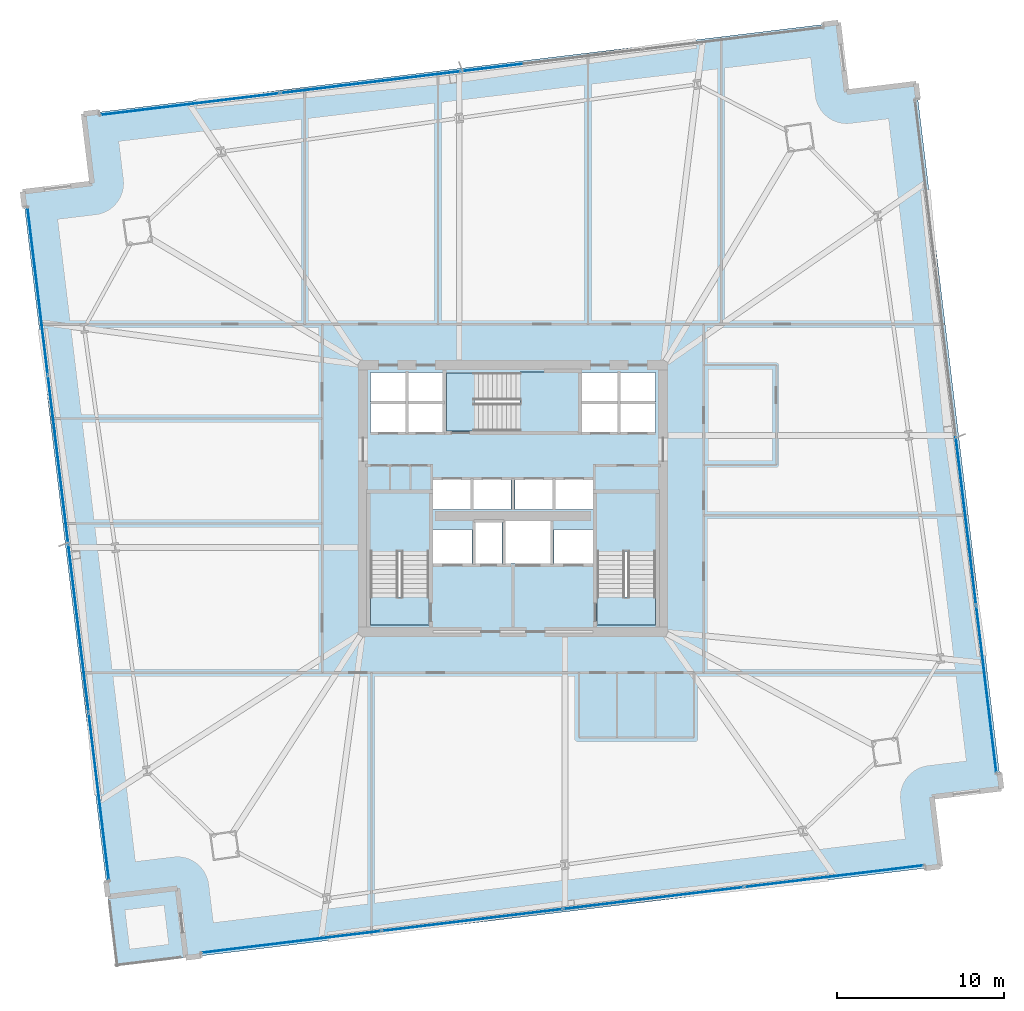
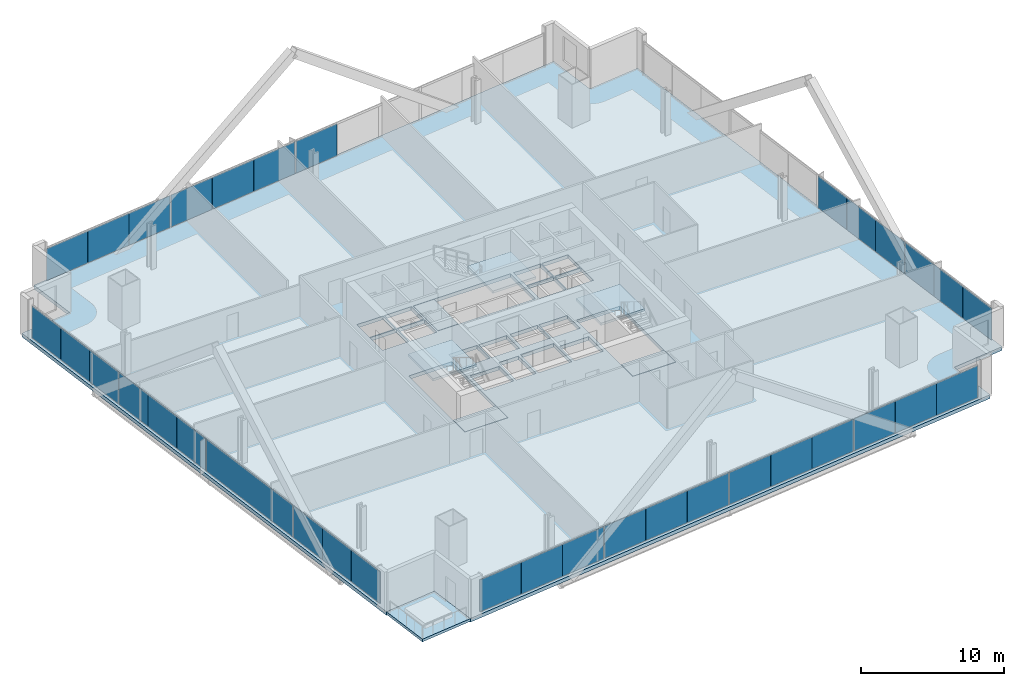
# One storey, part 24 of 33: 35 plates, 8 slabs, 7 elements without a shape of their own.
"""IFC4 building model written with IfcOpenShell, lengths in metres."""

from ifc_helpers import new_model, si_unit, direction, frame, origin, origin_2d, place, context, subcontext, project, spatial, polyline, rectangle, outline, extrude, source, transform, mapped, material, layer, layer_set, type_object, element, aggregate, save


model = new_model("IFC4")

# Units and contexts
model_context = context("Model", 3, precision=1e-05, world=origin(), true_north=direction((0.0, 1.0)))
body_context = subcontext(model_context, "Body", "Model", "MODEL_VIEW")
ifc_project = project(units=[si_unit("LENGTHUNIT", "METRE"), si_unit("AREAUNIT", "SQUARE_METRE"), si_unit("VOLUMEUNIT", "CUBIC_METRE"), si_unit("PLANEANGLEUNIT", "RADIAN"), si_unit("MASSUNIT", "GRAM", prefix="KILO")], contexts=[model_context])

# Site, building, storey
site_placement = place(None, origin())
site = spatial("IfcSite", under=ifc_project, at=site_placement, CompositionType="ELEMENT")
building_placement = place(site_placement, origin())
building = spatial("IfcBuilding", under=site, at=building_placement, Name="Haldenkirk Collegiate Tower", CompositionType="ELEMENT")
storey_placement = place(building_placement, frame((0.0, 0.0, 51.449951171875)))
storey = spatial("IfcBuildingStorey", under=building, at=storey_placement, Name="L11", CompositionType="ELEMENT", Elevation=51.449951171875)

# Slab
ifc_material_1 = material(Name="Concrete f'c 40 MPa", Category="concrete")
ifc_layer_1 = layer(ifc_material_1, 0.31005859375)
ifc_layer_set_1 = layer_set([ifc_layer_1], Name="Concrete f'c 40 MPa")
slab_type_1 = type_object("IfcSlabType", Name="SLB-FLR-310", PredefinedType="FLOOR", material=ifc_layer_set_1)
slab_1_placement = place(storey_placement, frame((0.0, 0.0, -0.31005859375)))
element("IfcSlab", 1, at=slab_1_placement, inside=storey, type_object=slab_type_1, Name="L11 composite structural floor slab", PredefinedType="FLOOR", context=body_context, shape_type="SweptSolid", body=[
    extrude(outline(polyline([(16.36865234375, -1.55810546875), (61.63818359375, 3.920166015625), (61.1337890625, 8.08984375), (65.30322265625, 8.59423828125), (60.185546875, 50.8857421875), (56.015869140625, 50.381103515625), (55.51123046875, 54.55078125), (10.24169921875, 49.072509765625), (10.74609375, 44.903076171875), (6.57666015625, 44.3984375), (11.6943359375, 2.10693359375), (15.864013671875, 2.611572265625), (16.36865234375, -1.55810546875)]), holes=[polyline([(27.449951171875, 18.39990234375), (30.949951171875, 18.39990234375), (30.949951171875, 26.300048828125), (27.449951171875, 26.300048828125), (27.449951171875, 18.39990234375)]), polyline([(41.050048828125, 18.39990234375), (44.550048828125, 18.39990234375), (44.550048828125, 26.300048828125), (41.050048828125, 26.300048828125), (41.050048828125, 18.39990234375)]), polyline([(32.0, 30.050048828125), (39.89990234375, 30.050048828125), (39.89990234375, 33.550048828125), (32.0, 33.550048828125), (32.0, 30.050048828125)]), polyline([(33.75, 22.10009765625), (35.35009765625, 22.10009765625), (35.35009765625, 24.550048828125), (33.75, 24.550048828125), (33.75, 22.10009765625)]), polyline([(27.449951171875, 29.949951171875), (29.580078125, 29.949951171875), (29.580078125, 31.699951171875), (27.449951171875, 31.699951171875), (27.449951171875, 29.949951171875)]), polyline([(29.679931640625, 29.949951171875), (31.85009765625, 29.949951171875), (31.85009765625, 31.699951171875), (29.679931640625, 31.699951171875), (29.679931640625, 29.949951171875)]), polyline([(27.449951171875, 31.800048828125), (29.580078125, 31.800048828125), (29.580078125, 33.550048828125), (27.449951171875, 33.550048828125), (27.449951171875, 31.800048828125)]), polyline([(29.679931640625, 31.800048828125), (31.85009765625, 31.800048828125), (31.85009765625, 33.550048828125), (29.679931640625, 33.550048828125), (29.679931640625, 31.800048828125)]), polyline([(40.14990234375, 29.949951171875), (42.320068359375, 29.949951171875), (42.320068359375, 31.699951171875), (40.14990234375, 31.699951171875), (40.14990234375, 29.949951171875)]), polyline([(42.419921875, 29.949951171875), (44.550048828125, 29.949951171875), (44.550048828125, 31.699951171875), (42.419921875, 31.699951171875), (42.419921875, 29.949951171875)]), polyline([(40.14990234375, 31.800048828125), (42.320068359375, 31.800048828125), (42.320068359375, 33.550048828125), (40.14990234375, 33.550048828125), (40.14990234375, 31.800048828125)]), polyline([(42.419921875, 31.800048828125), (44.550048828125, 31.800048828125), (44.550048828125, 33.550048828125), (42.419921875, 33.550048828125), (42.419921875, 31.800048828125)]), polyline([(31.199951171875, 25.35009765625), (33.47998046875, 25.35009765625), (33.47998046875, 27.14990234375), (31.199951171875, 27.14990234375), (31.199951171875, 25.35009765625)]), polyline([(33.60009765625, 25.35009765625), (35.8798828125, 25.35009765625), (35.8798828125, 27.14990234375), (33.60009765625, 27.14990234375), (33.60009765625, 25.35009765625)]), polyline([(36.1201171875, 25.35009765625), (38.39990234375, 25.35009765625), (38.39990234375, 27.14990234375), (36.1201171875, 27.14990234375), (36.1201171875, 25.35009765625)]), polyline([(38.52001953125, 25.35009765625), (40.800048828125, 25.35009765625), (40.800048828125, 27.14990234375), (38.52001953125, 27.14990234375), (38.52001953125, 25.35009765625)]), polyline([(31.199951171875, 22.10009765625), (33.550048828125, 22.10009765625), (33.550048828125, 24.14990234375), (31.199951171875, 24.14990234375), (31.199951171875, 22.10009765625)]), polyline([(38.449951171875, 22.10009765625), (40.800048828125, 22.10009765625), (40.800048828125, 24.14990234375), (38.449951171875, 24.14990234375), (38.449951171875, 22.10009765625)]), polyline([(35.550048828125, 22.10009765625), (38.25, 22.10009765625), (38.25, 24.64990234375), (35.550048828125, 24.64990234375), (35.550048828125, 22.10009765625)])]), origin(), (0.0, 0.0, 1.0), 0.31005859375),
])

# Stair, slab
stair_type = type_object("IfcStairType", Name="STR-DOGLEG-1650", PredefinedType="HALF_TURN_STAIR", material=ifc_material_1)
stair_1_placement = place(storey_placement, origin())
stair_1 = element("IfcStair", 2, at=stair_1_placement, inside=storey, type_object=stair_type, Name="L11 Core Exit Stair ST-1", PredefinedType="HALF_TURN_STAIR")
ifc_layer_2 = layer(ifc_material_1, 0.199951171875)
ifc_layer_set_2 = layer_set([ifc_layer_2], Name="Concrete f'c 40 MPa")
slab_type_2 = type_object("IfcSlabType", Name="SLB-LANDING-200", PredefinedType="LANDING", material=ifc_layer_set_2)
slab_2_placement = place(storey_placement, frame((0.0, 0.0, 1.675048828125)))
slab_2 = element("IfcSlab", 3, at=slab_2_placement, type_object=slab_type_2, Name="ST-1 landing 1", PredefinedType="LANDING", context=body_context, shape_type="SweptSolid", body=[
    extrude(outline(polyline([(30.97509765625, 22.824951171875), (27.425048828125, 22.824951171875), (27.425048828125, 26.324951171875), (30.97509765625, 26.324951171875), (30.97509765625, 22.824951171875)])), origin(), (0.0, 0.0, 1.0), 0.199951171875),
])
aggregate(stair_1, [slab_2])

stair_2_placement = place(storey_placement, origin())
stair_2 = element("IfcStair", 4, at=stair_2_placement, inside=storey, type_object=stair_type, Name="L11 Core Exit Stair ST-2", PredefinedType="HALF_TURN_STAIR")
slab_3_placement = place(storey_placement, frame((0.0, 0.0, 1.675048828125)))
slab_3 = element("IfcSlab", 5, at=slab_3_placement, type_object=slab_type_2, Name="ST-2 landing 1", PredefinedType="LANDING", context=body_context, shape_type="SweptSolid", body=[
    extrude(outline(polyline([(44.574951171875, 22.824951171875), (41.02490234375, 22.824951171875), (41.02490234375, 26.324951171875), (44.574951171875, 26.324951171875), (44.574951171875, 22.824951171875)])), origin(), (0.0, 0.0, 1.0), 0.199951171875),
])
aggregate(stair_2, [slab_3])

stair_3_placement = place(storey_placement, origin())
stair_3 = element("IfcStair", 6, at=stair_3_placement, inside=storey, type_object=stair_type, Name="L11 Core Exit Stair ST-3", PredefinedType="HALF_TURN_STAIR")
slab_4_placement = place(storey_placement, frame((0.0, 0.0, 1.675048828125)))
slab_4 = element("IfcSlab", 7, at=slab_4_placement, type_object=slab_type_2, Name="ST-3 landing 1", PredefinedType="LANDING", context=body_context, shape_type="SweptSolid", body=[
    extrude(outline(polyline([(36.425048828125, 30.02490234375), (36.425048828125, 33.574951171875), (39.925048828125, 33.574951171875), (39.925048828125, 30.02490234375), (36.425048828125, 30.02490234375)])), origin(), (0.0, 0.0, 1.0), 0.199951171875),
])
aggregate(stair_3, [slab_4])

# Slabs
ifc_layer_3 = layer(ifc_material_1, 0.25)
ifc_layer_set_3 = layer_set([ifc_layer_3], Name="Concrete f'c 40 MPa")
slab_type_3 = type_object("IfcSlabType", Name="SLB-STAIRLAND-250", PredefinedType="LANDING", material=ifc_layer_set_3)
slab_5_placement = place(storey_placement, frame((0.0, 0.0, -0.25)))
element("IfcSlab", 8, at=slab_5_placement, inside=storey, type_object=slab_type_3, Name="L11 stair ST1 structural floor landing slab", PredefinedType="LANDING", context=body_context, shape_type="SweptSolid", body=[
    extrude(outline(polyline([(27.4599609375, 18.409912109375), (30.93994140625, 18.409912109375), (30.93994140625, 20.080078125), (27.4599609375, 20.080078125), (27.4599609375, 18.409912109375)])), origin(), (0.0, 0.0, 1.0), 0.25),
])
slab_6_placement = place(storey_placement, frame((0.0, 0.0, -0.25)))
element("IfcSlab", 9, at=slab_6_placement, inside=storey, type_object=slab_type_3, Name="L11 stair ST2 structural floor landing slab", PredefinedType="LANDING", context=body_context, shape_type="SweptSolid", body=[
    extrude(outline(polyline([(41.06005859375, 18.409912109375), (44.5400390625, 18.409912109375), (44.5400390625, 20.080078125), (41.06005859375, 20.080078125), (41.06005859375, 18.409912109375)])), origin(), (0.0, 0.0, 1.0), 0.25),
])
slab_7_placement = place(storey_placement, frame((0.0, 0.0, -0.25)))
element("IfcSlab", 10, at=slab_7_placement, inside=storey, type_object=slab_type_3, Name="L11 stair ST3 structural floor landing slab", PredefinedType="LANDING", context=body_context, shape_type="SweptSolid", body=[
    extrude(outline(polyline([(32.010009765625, 30.06005859375), (33.679931640625, 30.06005859375), (33.679931640625, 33.5400390625), (32.010009765625, 33.5400390625), (32.010009765625, 30.06005859375)])), origin(), (0.0, 0.0, 1.0), 0.25),
])
ifc_layer_4 = layer(ifc_material_1, 0.22998046875)
ifc_layer_set_4 = layer_set([ifc_layer_4], Name="Concrete f'c 40 MPa")
slab_type_4 = type_object("IfcSlabType", Name="SLB-TERR-SPIRAL-230", PredefinedType="FLOOR", material=ifc_layer_set_4)
slab_8_placement = place(storey_placement, frame((0.0, 0.0, -0.22998046875)))
element("IfcSlab", 11, at=slab_8_placement, inside=storey, type_object=slab_type_4, Name="L11 spiralling corner terrace slab", PredefinedType="FLOOR", context=body_context, shape_type="SweptSolid", body=[
    extrude(outline(polyline([(12.198974609375, -2.0625), (16.36865234375, -1.55810546875), (15.864013671875, 2.611572265625), (11.6943359375, 2.10693359375), (12.198974609375, -2.0625)])), origin(), (0.0, 0.0, 1.0), 0.22998046875),
])

# Curtain wall, plates
ifc_material_2 = material(Name="Anodised architectural bronze aluminium", Category="aluminium")
curtain_wall_type_1 = type_object("IfcCurtainWallType", Name="CW-SYS2-CONCAVE", PredefinedType="USERDEFINED", material=ifc_material_2)
curtain_wall_1_placement = place(storey_placement, origin())
curtain_wall_1 = element("IfcCurtainWall", 12, at=curtain_wall_1_placement, inside=storey, type_object=curtain_wall_type_1, Name="L11 South concave recessed bronze-anodised curtain wall", ObjectType="UNITISED CURTAIN WALL", PredefinedType="USERDEFINED")
ifc_material_3 = material(Name="Bronze-anodised insulated aluminium spandrel panel", Category="aluminium")
ifc_layer_5 = layer(ifc_material_3, 0.0419921875)
ifc_layer_set_5 = layer_set([ifc_layer_5], Name="Bronze-anodised insulated aluminium spandrel panel")
plate_type_1 = type_object("IfcPlateType", Name="CW-SPD-02", PredefinedType="CURTAIN_PANEL", material=ifc_layer_set_5)
shared_shape_1 = source(origin(), body_context, "Body", "SweptSolid", [
    extrude(rectangle(XDim=3.612548828125, YDim=0.0419921875, at=origin_2d()), origin(), (0.0, 0.0, 1.0), 2.740966796875),
])
plate_1_placement = place(storey_placement, frame((48.022216796875, 2.453857421875, 0.0751953125), z_axis=(0.0, 0.0, 1.0), x_axis=(-0.992757028453, -0.120139429238, 0.0)))
plate_1 = element("IfcPlate", 13, at=plate_1_placement, type_object=plate_type_1, Name="CW-02 spandrel panel 2.1a", PredefinedType="CURTAIN_PANEL", context=body_context, shape_type="MappedRepresentation", body=[
    mapped(shared_shape_1, transform((0.0, 0.0, 0.0), x_axis=(1.0, 0.0, 0.0), y_axis=(0.0, 1.0, 0.0), z_axis=(0.0, 0.0, 1.0), scale=1.0)),
])
ifc_material_4 = material(Name="Low-E argon triple insulating glass", Category="glass")
ifc_layer_6 = layer(ifc_material_4, 0.0419921875)
ifc_layer_set_6 = layer_set([ifc_layer_6], Name="Low-E argon triple insulating glass")
plate_type_2 = type_object("IfcPlateType", Name="CW-PNL-02", PredefinedType="CURTAIN_PANEL", material=ifc_layer_set_6)
plate_2_placement = place(storey_placement, frame((40.812255859375, 1.581298828125, 0.0751953125), z_axis=(0.0, 0.0, 1.0), x_axis=(-0.992757028453, -0.120139429238, 0.0)))
plate_2 = element("IfcPlate", 14, at=plate_2_placement, type_object=plate_type_2, Name="CW-02 panel 2.1c", PredefinedType="CURTAIN_PANEL", context=body_context, shape_type="MappedRepresentation", body=[
    mapped(shared_shape_1, transform((0.0, 0.0, 0.0), x_axis=(1.0, 0.0, 0.0), y_axis=(0.0, 1.0, 0.0), z_axis=(0.0, 0.0, 1.0), scale=1.0)),
])
plate_3_placement = place(storey_placement, frame((37.151611328125, 1.13818359375, 0.0751953125), z_axis=(0.0, 0.0, 1.0), x_axis=(-0.992757028453, -0.120139429238, 0.0)))
plate_3 = element("IfcPlate", 15, at=plate_3_placement, type_object=plate_type_2, Name="CW-02 panel 3.1a", PredefinedType="CURTAIN_PANEL", context=body_context, shape_type="MappedRepresentation", body=[
    mapped(shared_shape_1, transform((0.0, 0.0, 0.0), x_axis=(1.0, 0.0, 0.0), y_axis=(0.0, 1.0, 0.0), z_axis=(0.0, 0.0, 1.0), scale=1.0)),
])
plate_4_placement = place(storey_placement, frame((29.941650390625, 0.265625, 0.0751953125), z_axis=(0.0, 0.0, 1.0), x_axis=(-0.992757028453, -0.120139429238, 0.0)))
plate_4 = element("IfcPlate", 16, at=plate_4_placement, type_object=plate_type_1, Name="CW-02 spandrel panel 3.1c", PredefinedType="CURTAIN_PANEL", context=body_context, shape_type="MappedRepresentation", body=[
    mapped(shared_shape_1, transform((0.0, 0.0, 0.0), x_axis=(1.0, 0.0, 0.0), y_axis=(0.0, 1.0, 0.0), z_axis=(0.0, 0.0, 1.0), scale=1.0)),
])
shared_shape_2 = source(origin(), body_context, "Body", "SweptSolid", [
    extrude(rectangle(XDim=3.60009765625, YDim=0.0419921875, at=origin_2d()), origin(), (0.0, 0.0, 1.0), 2.740966796875),
])
plate_5_placement = place(storey_placement, frame((58.86181640625, 3.765380859375, 0.0751953125), z_axis=(0.0, 0.0, 1.0), x_axis=(-0.992757028453, -0.120139429238, 0.0)))
plate_5 = element("IfcPlate", 17, at=plate_5_placement, type_object=plate_type_2, Name="CW-02 panel 1.1a", PredefinedType="CURTAIN_PANEL", context=body_context, shape_type="MappedRepresentation", body=[
    mapped(shared_shape_2, transform((0.0, 0.0, 0.0), x_axis=(1.0, 0.0, 0.0), y_axis=(0.0, 1.0, 0.0), z_axis=(0.0, 0.0, 1.0), scale=1.0)),
])
plate_6_placement = place(storey_placement, frame((51.6767578125, 2.89599609375, 0.0751953125), z_axis=(0.0, 0.0, 1.0), x_axis=(-0.992757028453, -0.120139429238, 0.0)))
plate_6 = element("IfcPlate", 18, at=plate_6_placement, type_object=plate_type_1, Name="CW-02 spandrel panel 1.1c", PredefinedType="CURTAIN_PANEL", context=body_context, shape_type="MappedRepresentation", body=[
    mapped(shared_shape_2, transform((0.0, 0.0, 0.0), x_axis=(1.0, 0.0, 0.0), y_axis=(0.0, 1.0, 0.0), z_axis=(0.0, 0.0, 1.0), scale=1.0)),
])
plate_7_placement = place(storey_placement, frame((44.417236328125, 2.017578125, 0.0751953125), z_axis=(0.0, 0.0, 1.0), x_axis=(-0.992757028453, -0.120139429238, 0.0)))
plate_7 = element("IfcPlate", 19, at=plate_7_placement, type_object=plate_type_2, Name="CW-02 panel 2.1b", PredefinedType="CURTAIN_PANEL", context=body_context, shape_type="MappedRepresentation", body=[
    mapped(shared_shape_2, transform((0.0, 0.0, 0.0), x_axis=(1.0, 0.0, 0.0), y_axis=(0.0, 1.0, 0.0), z_axis=(0.0, 0.0, 1.0), scale=1.0)),
])
plate_8_placement = place(storey_placement, frame((33.54638671875, 0.701904296875, 0.0751953125), z_axis=(0.0, 0.0, 1.0), x_axis=(-0.992757028453, -0.120139429238, 0.0)))
plate_8 = element("IfcPlate", 20, at=plate_8_placement, type_object=plate_type_2, Name="CW-02 panel 3.1b", PredefinedType="CURTAIN_PANEL", context=body_context, shape_type="MappedRepresentation", body=[
    mapped(shared_shape_2, transform((0.0, 0.0, 0.0), x_axis=(1.0, 0.0, 0.0), y_axis=(0.0, 1.0, 0.0), z_axis=(0.0, 0.0, 1.0), scale=1.0)),
])
plate_9_placement = place(storey_placement, frame((26.287109375, -0.176513671875, 0.0751953125), z_axis=(0.0, 0.0, 1.0), x_axis=(-0.992757028453, -0.120139429238, 0.0)))
plate_9 = element("IfcPlate", 21, at=plate_9_placement, type_object=plate_type_1, Name="CW-02 spandrel panel 4.1a", PredefinedType="CURTAIN_PANEL", context=body_context, shape_type="MappedRepresentation", body=[
    mapped(shared_shape_2, transform((0.0, 0.0, 0.0), x_axis=(1.0, 0.0, 0.0), y_axis=(0.0, 1.0, 0.0), z_axis=(0.0, 0.0, 1.0), scale=1.0)),
])
plate_10_placement = place(storey_placement, frame((19.101806640625, -1.0458984375, 0.0751953125), z_axis=(0.0, 0.0, 1.0), x_axis=(-0.992757028453, -0.120139429238, 0.0)))
plate_10 = element("IfcPlate", 22, at=plate_10_placement, type_object=plate_type_2, Name="CW-02 panel 4.1c", PredefinedType="CURTAIN_PANEL", context=body_context, shape_type="MappedRepresentation", body=[
    mapped(shared_shape_2, transform((0.0, 0.0, 0.0), x_axis=(1.0, 0.0, 0.0), y_axis=(0.0, 1.0, 0.0), z_axis=(0.0, 0.0, 1.0), scale=1.0)),
])

curtain_wall_type_2 = type_object("IfcCurtainWallType", Name="CW-SYS1-CONVEX-LOW", PredefinedType="USERDEFINED", material=ifc_material_2)
curtain_wall_2_placement = place(storey_placement, origin())
curtain_wall_2 = element("IfcCurtainWall", 23, at=curtain_wall_2_placement, inside=storey, type_object=curtain_wall_type_2, Name="L11 Lower tower convex bronze-framed unitised curtain wall", ObjectType="UNITISED CURTAIN WALL", PredefinedType="USERDEFINED")
ifc_layer_7 = layer(ifc_material_4, 0.0439453125)
ifc_layer_set_7 = layer_set([ifc_layer_7], Name="Low-E argon triple insulating glass")
plate_type_3 = type_object("IfcPlateType", Name="CW-PNL-1A", PredefinedType="CURTAIN_PANEL", material=ifc_layer_set_7)
shared_shape_3 = source(origin(), body_context, "Body", "SweptSolid", [
    extrude(rectangle(XDim=3.36083984375, YDim=0.0439453125, at=origin_2d()), origin(), (0.0, 0.0, 1.0), 2.73095703125),
])
plate_11_placement = place(storey_placement, frame((62.7724609375, 28.010498046875, 0.080078125), z_axis=(0.0, 0.0, 1.0), x_axis=(0.120137247576, -0.992757292466, 0.0)))
plate_11 = element("IfcPlate", 24, at=plate_11_placement, type_object=plate_type_3, Name="CW-1A panel 3.1a", PredefinedType="CURTAIN_PANEL", context=body_context, shape_type="MappedRepresentation", body=[
    mapped(shared_shape_3, transform((0.0, 0.0, 0.0), x_axis=(1.0, 0.0, 0.0), y_axis=(0.0, 1.0, 0.0), z_axis=(0.0, 0.0, 1.0), scale=1.0)),
])
ifc_layer_8 = layer(ifc_material_3, 0.0439453125)
ifc_layer_set_8 = layer_set([ifc_layer_8], Name="Bronze-anodised insulated aluminium spandrel panel")
plate_type_4 = type_object("IfcPlateType", Name="CW-SPD-1A", PredefinedType="CURTAIN_PANEL", material=ifc_layer_set_8)
plate_12_placement = place(storey_placement, frame((63.58447265625, 21.30029296875, 0.080078125), z_axis=(0.0, 0.0, 1.0), x_axis=(0.120137247576, -0.992757292466, 0.0)))
plate_12 = element("IfcPlate", 25, at=plate_12_placement, type_object=plate_type_4, Name="CW-1A spandrel panel 3.1c", PredefinedType="CURTAIN_PANEL", context=body_context, shape_type="MappedRepresentation", body=[
    mapped(shared_shape_3, transform((0.0, 0.0, 0.0), x_axis=(1.0, 0.0, 0.0), y_axis=(0.0, 1.0, 0.0), z_axis=(0.0, 0.0, 1.0), scale=1.0)),
])

curtain_wall_3_placement = place(storey_placement, origin())
curtain_wall_3 = element("IfcCurtainWall", 26, at=curtain_wall_3_placement, inside=storey, type_object=curtain_wall_type_2, Name="L11 Lower tower convex bronze-framed unitised curtain wall", ObjectType="UNITISED CURTAIN WALL", PredefinedType="USERDEFINED")
plate_13_placement = place(storey_placement, frame((9.107421875, 24.982421875, 0.080078125), z_axis=(0.0, 0.0, 1.0), x_axis=(-0.120137539898, 0.992757257091, 0.0)))
plate_13 = element("IfcPlate", 27, at=plate_13_placement, type_object=plate_type_3, Name="CW-1A panel 3.1a", PredefinedType="CURTAIN_PANEL", context=body_context, shape_type="MappedRepresentation", body=[
    mapped(shared_shape_3, transform((0.0, 0.0, 0.0), x_axis=(1.0, 0.0, 0.0), y_axis=(0.0, 1.0, 0.0), z_axis=(0.0, 0.0, 1.0), scale=1.0)),
])
plate_14_placement = place(storey_placement, frame((8.29541015625, 31.6923828125, 0.080078125), z_axis=(0.0, 0.0, 1.0), x_axis=(-0.120137539898, 0.992757257091, 0.0)))
plate_14 = element("IfcPlate", 28, at=plate_14_placement, type_object=plate_type_4, Name="CW-1A spandrel panel 3.1c", PredefinedType="CURTAIN_PANEL", context=body_context, shape_type="MappedRepresentation", body=[
    mapped(shared_shape_3, transform((0.0, 0.0, 0.0), x_axis=(1.0, 0.0, 0.0), y_axis=(0.0, 1.0, 0.0), z_axis=(0.0, 0.0, 1.0), scale=1.0)),
])

# Plate
shared_shape_4 = source(origin(), body_context, "Body", "SweptSolid", [
    extrude(rectangle(XDim=3.348388671875, YDim=0.0439453125, at=origin_2d()), origin(), (0.0, 0.0, 1.0), 2.73095703125),
])
plate_15_placement = place(storey_placement, frame((63.178466796875, 24.655517578125, 0.080078125), z_axis=(0.0, 0.0, 1.0), x_axis=(0.120137247576, -0.992757292466, 0.0)))
plate_15 = element("IfcPlate", 29, at=plate_15_placement, type_object=plate_type_3, Name="CW-1A panel 3.1b", PredefinedType="CURTAIN_PANEL", context=body_context, shape_type="MappedRepresentation", body=[
    mapped(shared_shape_4, transform((0.0, 0.0, 0.0), x_axis=(1.0, 0.0, 0.0), y_axis=(0.0, 1.0, 0.0), z_axis=(0.0, 0.0, 1.0), scale=1.0)),
])

plate_16_placement = place(storey_placement, frame((8.701416015625, 28.33740234375, 0.080078125), z_axis=(0.0, 0.0, 1.0), x_axis=(-0.120137539898, 0.992757257091, 0.0)))
plate_16 = element("IfcPlate", 30, at=plate_16_placement, type_object=plate_type_3, Name="CW-1A panel 3.1b", PredefinedType="CURTAIN_PANEL", context=body_context, shape_type="MappedRepresentation", body=[
    mapped(shared_shape_4, transform((0.0, 0.0, 0.0), x_axis=(1.0, 0.0, 0.0), y_axis=(0.0, 1.0, 0.0), z_axis=(0.0, 0.0, 1.0), scale=1.0)),
])

# Curtain wall, plates
curtain_wall_4_placement = place(storey_placement, origin())
curtain_wall_4 = element("IfcCurtainWall", 31, at=curtain_wall_4_placement, inside=storey, type_object=curtain_wall_type_2, Name="L11 Lower tower convex bronze-framed unitised curtain wall", ObjectType="UNITISED CURTAIN WALL", PredefinedType="USERDEFINED")
shared_shape_5 = source(origin(), body_context, "Body", "SweptSolid", [
    extrude(rectangle(XDim=3.61083984375, YDim=0.0439453125, at=origin_2d()), origin(), (0.0, 0.0, 1.0), 2.73095703125),
])
plate_17_placement = place(storey_placement, frame((23.859375, 50.539306640625, 0.080078125), z_axis=(0.0, 0.0, 1.0), x_axis=(0.992757300755, 0.120137179083, 0.0)))
plate_17 = element("IfcPlate", 32, at=plate_17_placement, type_object=plate_type_4, Name="CW-1A spandrel panel 2.1a", PredefinedType="CURTAIN_PANEL", context=body_context, shape_type="MappedRepresentation", body=[
    mapped(shared_shape_5, transform((0.0, 0.0, 0.0), x_axis=(1.0, 0.0, 0.0), y_axis=(0.0, 1.0, 0.0), z_axis=(0.0, 0.0, 1.0), scale=1.0)),
])
plate_18_placement = place(storey_placement, frame((31.06591796875, 51.411376953125, 0.080078125), z_axis=(0.0, 0.0, 1.0), x_axis=(0.992757300755, 0.120137179083, 0.0)))
plate_18 = element("IfcPlate", 33, at=plate_18_placement, type_object=plate_type_3, Name="CW-1A panel 2.1c", PredefinedType="CURTAIN_PANEL", context=body_context, shape_type="MappedRepresentation", body=[
    mapped(shared_shape_5, transform((0.0, 0.0, 0.0), x_axis=(1.0, 0.0, 0.0), y_axis=(0.0, 1.0, 0.0), z_axis=(0.0, 0.0, 1.0), scale=1.0)),
])
plate_19_placement = place(storey_placement, frame((34.72998046875, 51.854736328125, 0.080078125), z_axis=(0.0, 0.0, 1.0), x_axis=(0.992757300755, 0.120137179083, 0.0)))
plate_19 = element("IfcPlate", 34, at=plate_19_placement, type_object=plate_type_3, Name="CW-1A panel 3.1a", PredefinedType="CURTAIN_PANEL", context=body_context, shape_type="MappedRepresentation", body=[
    mapped(shared_shape_5, transform((0.0, 0.0, 0.0), x_axis=(1.0, 0.0, 0.0), y_axis=(0.0, 1.0, 0.0), z_axis=(0.0, 0.0, 1.0), scale=1.0)),
])
shared_shape_6 = source(origin(), body_context, "Body", "SweptSolid", [
    extrude(rectangle(XDim=3.598388671875, YDim=0.0439453125, at=origin_2d()), origin(), (0.0, 0.0, 1.0), 2.73095703125),
])
plate_20_placement = place(storey_placement, frame((27.462646484375, 50.97509765625, 0.080078125), z_axis=(0.0, 0.0, 1.0), x_axis=(0.992757300755, 0.120137179083, 0.0)))
plate_20 = element("IfcPlate", 35, at=plate_20_placement, type_object=plate_type_3, Name="CW-1A panel 2.1b", PredefinedType="CURTAIN_PANEL", context=body_context, shape_type="MappedRepresentation", body=[
    mapped(shared_shape_6, transform((0.0, 0.0, 0.0), x_axis=(1.0, 0.0, 0.0), y_axis=(0.0, 1.0, 0.0), z_axis=(0.0, 0.0, 1.0), scale=1.0)),
])

# Plate
shared_shape_7 = source(origin(), body_context, "Body", "SweptSolid", [
    extrude(rectangle(XDim=10.119873046875, YDim=0.0439453125, at=origin_2d()), origin(), (0.0, 0.0, 1.0), 2.73095703125),
])
plate_21_placement = place(storey_placement, frame((9.927001953125, 18.211181640625, 0.080078125), z_axis=(0.0, 0.0, 1.0), x_axis=(-0.120137539898, 0.992757257091, 0.0)))
plate_21 = element("IfcPlate", 36, at=plate_21_placement, type_object=plate_type_3, Name="CW-1A panel 2.1", PredefinedType="CURTAIN_PANEL", context=body_context, shape_type="MappedRepresentation", body=[
    mapped(shared_shape_7, transform((0.0, 0.0, 0.0), x_axis=(1.0, 0.0, 0.0), y_axis=(0.0, 1.0, 0.0), z_axis=(0.0, 0.0, 1.0), scale=1.0)),
])

shared_shape_8 = source(origin(), body_context, "Body", "SweptSolid", [
    extrude(rectangle(XDim=3.58740234375, YDim=0.0419921875, at=origin_2d()), origin(), (0.0, 0.0, 1.0), 2.740966796875),
])
plate_22_placement = place(storey_placement, frame((55.269287109375, 3.330810546875, 0.0751953125), z_axis=(0.0, 0.0, 1.0), x_axis=(-0.992757028453, -0.120139429238, 0.0)))
plate_22 = element("IfcPlate", 37, at=plate_22_placement, type_object=plate_type_1, Name="CW-02 spandrel panel 1.1b", PredefinedType="CURTAIN_PANEL", context=body_context, shape_type="MappedRepresentation", body=[
    mapped(shared_shape_8, transform((0.0, 0.0, 0.0), x_axis=(1.0, 0.0, 0.0), y_axis=(0.0, 1.0, 0.0), z_axis=(0.0, 0.0, 1.0), scale=1.0)),
])

plate_23_placement = place(storey_placement, frame((22.694580078125, -0.611328125, 0.0751953125), z_axis=(0.0, 0.0, 1.0), x_axis=(-0.992757028453, -0.120139429238, 0.0)))
plate_23 = element("IfcPlate", 38, at=plate_23_placement, type_object=plate_type_2, Name="CW-02 panel 4.1b", PredefinedType="CURTAIN_PANEL", context=body_context, shape_type="MappedRepresentation", body=[
    mapped(shared_shape_8, transform((0.0, 0.0, 0.0), x_axis=(1.0, 0.0, 0.0), y_axis=(0.0, 1.0, 0.0), z_axis=(0.0, 0.0, 1.0), scale=1.0)),
])

aggregate(curtain_wall_1, [plate_5, plate_22, plate_6, plate_1, plate_7, plate_2, plate_3, plate_8, plate_4, plate_9, plate_23, plate_10])

shared_shape_9 = source(origin(), body_context, "Body", "SweptSolid", [
    extrude(rectangle(XDim=3.347412109375, YDim=0.0439453125, at=origin_2d()), origin(), (0.0, 0.0, 1.0), 2.73095703125),
])
plate_24_placement = place(storey_placement, frame((63.9970703125, 17.89111328125, 0.080078125), z_axis=(0.0, 0.0, 1.0), x_axis=(0.120137247576, -0.992757292466, 0.0)))
plate_24 = element("IfcPlate", 39, at=plate_24_placement, type_object=plate_type_4, Name="CW-1A spandrel panel 4.1a", PredefinedType="CURTAIN_PANEL", context=body_context, shape_type="MappedRepresentation", body=[
    mapped(shared_shape_9, transform((0.0, 0.0, 0.0), x_axis=(1.0, 0.0, 0.0), y_axis=(0.0, 1.0, 0.0), z_axis=(0.0, 0.0, 1.0), scale=1.0)),
])

plate_25_placement = place(storey_placement, frame((64.805908203125, 11.207275390625, 0.080078125), z_axis=(0.0, 0.0, 1.0), x_axis=(0.120137247576, -0.992757292466, 0.0)))
plate_25 = element("IfcPlate", 40, at=plate_25_placement, type_object=plate_type_3, Name="CW-1A panel 4.1c", PredefinedType="CURTAIN_PANEL", context=body_context, shape_type="MappedRepresentation", body=[
    mapped(shared_shape_9, transform((0.0, 0.0, 0.0), x_axis=(1.0, 0.0, 0.0), y_axis=(0.0, 1.0, 0.0), z_axis=(0.0, 0.0, 1.0), scale=1.0)),
])

plate_26_placement = place(storey_placement, frame((11.55419921875, 4.76318359375, 0.080078125), z_axis=(0.0, 0.0, 1.0), x_axis=(-0.120137539898, 0.992757257091, 0.0)))
plate_26 = element("IfcPlate", 41, at=plate_26_placement, type_object=plate_type_3, Name="CW-1A panel 1.1a", PredefinedType="CURTAIN_PANEL", context=body_context, shape_type="MappedRepresentation", body=[
    mapped(shared_shape_9, transform((0.0, 0.0, 0.0), x_axis=(1.0, 0.0, 0.0), y_axis=(0.0, 1.0, 0.0), z_axis=(0.0, 0.0, 1.0), scale=1.0)),
])

plate_27_placement = place(storey_placement, frame((10.74560546875, 11.447021484375, 0.080078125), z_axis=(0.0, 0.0, 1.0), x_axis=(-0.120137539898, 0.992757257091, 0.0)))
plate_27 = element("IfcPlate", 42, at=plate_27_placement, type_object=plate_type_4, Name="CW-1A spandrel panel 1.1c", PredefinedType="CURTAIN_PANEL", context=body_context, shape_type="MappedRepresentation", body=[
    mapped(shared_shape_9, transform((0.0, 0.0, 0.0), x_axis=(1.0, 0.0, 0.0), y_axis=(0.0, 1.0, 0.0), z_axis=(0.0, 0.0, 1.0), scale=1.0)),
])

plate_28_placement = place(storey_placement, frame((7.8828125, 35.101806640625, 0.080078125), z_axis=(0.0, 0.0, 1.0), x_axis=(-0.120137539898, 0.992757257091, 0.0)))
plate_28 = element("IfcPlate", 43, at=plate_28_placement, type_object=plate_type_4, Name="CW-1A spandrel panel 4.1a", PredefinedType="CURTAIN_PANEL", context=body_context, shape_type="MappedRepresentation", body=[
    mapped(shared_shape_9, transform((0.0, 0.0, 0.0), x_axis=(1.0, 0.0, 0.0), y_axis=(0.0, 1.0, 0.0), z_axis=(0.0, 0.0, 1.0), scale=1.0)),
])

plate_29_placement = place(storey_placement, frame((7.07421875, 41.785400390625, 0.080078125), z_axis=(0.0, 0.0, 1.0), x_axis=(-0.120137539898, 0.992757257091, 0.0)))
plate_29 = element("IfcPlate", 44, at=plate_29_placement, type_object=plate_type_3, Name="CW-1A panel 4.1c", PredefinedType="CURTAIN_PANEL", context=body_context, shape_type="MappedRepresentation", body=[
    mapped(shared_shape_9, transform((0.0, 0.0, 0.0), x_axis=(1.0, 0.0, 0.0), y_axis=(0.0, 1.0, 0.0), z_axis=(0.0, 0.0, 1.0), scale=1.0)),
])

shared_shape_10 = source(origin(), body_context, "Body", "SweptSolid", [
    extrude(rectangle(XDim=3.3349609375, YDim=0.0439453125, at=origin_2d()), origin(), (0.0, 0.0, 1.0), 2.73095703125),
])
plate_30_placement = place(storey_placement, frame((64.4013671875, 14.549072265625, 0.080078125), z_axis=(0.0, 0.0, 1.0), x_axis=(0.120137247576, -0.992757292466, 0.0)))
plate_30 = element("IfcPlate", 45, at=plate_30_placement, type_object=plate_type_3, Name="CW-1A panel 4.1b", PredefinedType="CURTAIN_PANEL", context=body_context, shape_type="MappedRepresentation", body=[
    mapped(shared_shape_10, transform((0.0, 0.0, 0.0), x_axis=(1.0, 0.0, 0.0), y_axis=(0.0, 1.0, 0.0), z_axis=(0.0, 0.0, 1.0), scale=1.0)),
])

aggregate(curtain_wall_2, [plate_11, plate_15, plate_12, plate_24, plate_30, plate_25])

plate_31_placement = place(storey_placement, frame((11.14990234375, 8.10498046875, 0.080078125), z_axis=(0.0, 0.0, 1.0), x_axis=(-0.120137539898, 0.992757257091, 0.0)))
plate_31 = element("IfcPlate", 46, at=plate_31_placement, type_object=plate_type_4, Name="CW-1A spandrel panel 1.1b", PredefinedType="CURTAIN_PANEL", context=body_context, shape_type="MappedRepresentation", body=[
    mapped(shared_shape_10, transform((0.0, 0.0, 0.0), x_axis=(1.0, 0.0, 0.0), y_axis=(0.0, 1.0, 0.0), z_axis=(0.0, 0.0, 1.0), scale=1.0)),
])

plate_32_placement = place(storey_placement, frame((7.478515625, 38.443603515625, 0.080078125), z_axis=(0.0, 0.0, 1.0), x_axis=(-0.120137539898, 0.992757257091, 0.0)))
plate_32 = element("IfcPlate", 47, at=plate_32_placement, type_object=plate_type_3, Name="CW-1A panel 4.1b", PredefinedType="CURTAIN_PANEL", context=body_context, shape_type="MappedRepresentation", body=[
    mapped(shared_shape_10, transform((0.0, 0.0, 0.0), x_axis=(1.0, 0.0, 0.0), y_axis=(0.0, 1.0, 0.0), z_axis=(0.0, 0.0, 1.0), scale=1.0)),
])

aggregate(curtain_wall_3, [plate_26, plate_31, plate_27, plate_21, plate_13, plate_16, plate_14, plate_28, plate_32, plate_29])

shared_shape_11 = source(origin(), body_context, "Body", "SweptSolid", [
    extrude(rectangle(XDim=3.597412109375, YDim=0.0439453125, at=origin_2d()), origin(), (0.0, 0.0, 1.0), 2.73095703125),
])
plate_33_placement = place(storey_placement, frame((13.021728515625, 49.227783203125, 0.080078125), z_axis=(0.0, 0.0, 1.0), x_axis=(0.992757300755, 0.120137179083, 0.0)))
plate_33 = element("IfcPlate", 48, at=plate_33_placement, type_object=plate_type_3, Name="CW-1A panel 1.1a", PredefinedType="CURTAIN_PANEL", context=body_context, shape_type="MappedRepresentation", body=[
    mapped(shared_shape_11, transform((0.0, 0.0, 0.0), x_axis=(1.0, 0.0, 0.0), y_axis=(0.0, 1.0, 0.0), z_axis=(0.0, 0.0, 1.0), scale=1.0)),
])

plate_34_placement = place(storey_placement, frame((20.201904296875, 50.0966796875, 0.080078125), z_axis=(0.0, 0.0, 1.0), x_axis=(0.992757300755, 0.120137179083, 0.0)))
plate_34 = element("IfcPlate", 49, at=plate_34_placement, type_object=plate_type_4, Name="CW-1A spandrel panel 1.1c", PredefinedType="CURTAIN_PANEL", context=body_context, shape_type="MappedRepresentation", body=[
    mapped(shared_shape_11, transform((0.0, 0.0, 0.0), x_axis=(1.0, 0.0, 0.0), y_axis=(0.0, 1.0, 0.0), z_axis=(0.0, 0.0, 1.0), scale=1.0)),
])

shared_shape_12 = source(origin(), body_context, "Body", "SweptSolid", [
    extrude(rectangle(XDim=3.5849609375, YDim=0.0439453125, at=origin_2d()), origin(), (0.0, 0.0, 1.0), 2.73095703125),
])
plate_35_placement = place(storey_placement, frame((16.61181640625, 49.662109375, 0.080078125), z_axis=(0.0, 0.0, 1.0), x_axis=(0.992757300755, 0.120137179083, 0.0)))
plate_35 = element("IfcPlate", 50, at=plate_35_placement, type_object=plate_type_4, Name="CW-1A spandrel panel 1.1b", PredefinedType="CURTAIN_PANEL", context=body_context, shape_type="MappedRepresentation", body=[
    mapped(shared_shape_12, transform((0.0, 0.0, 0.0), x_axis=(1.0, 0.0, 0.0), y_axis=(0.0, 1.0, 0.0), z_axis=(0.0, 0.0, 1.0), scale=1.0)),
])

aggregate(curtain_wall_4, [plate_33, plate_35, plate_34, plate_17, plate_20, plate_18, plate_19])

save(model, "model.ifc")
